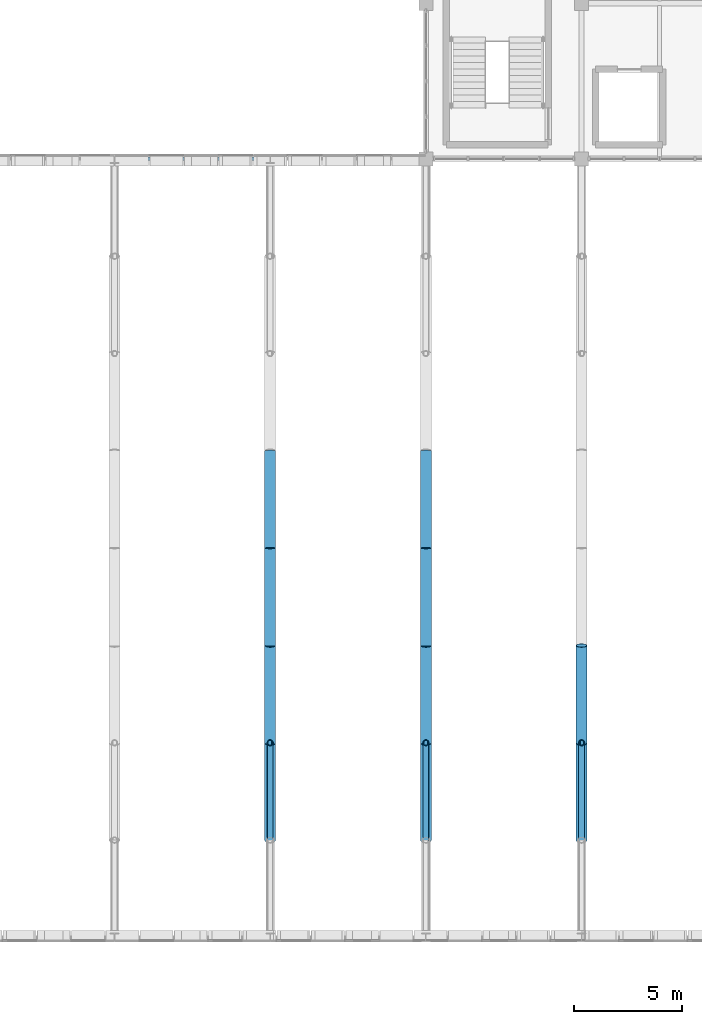
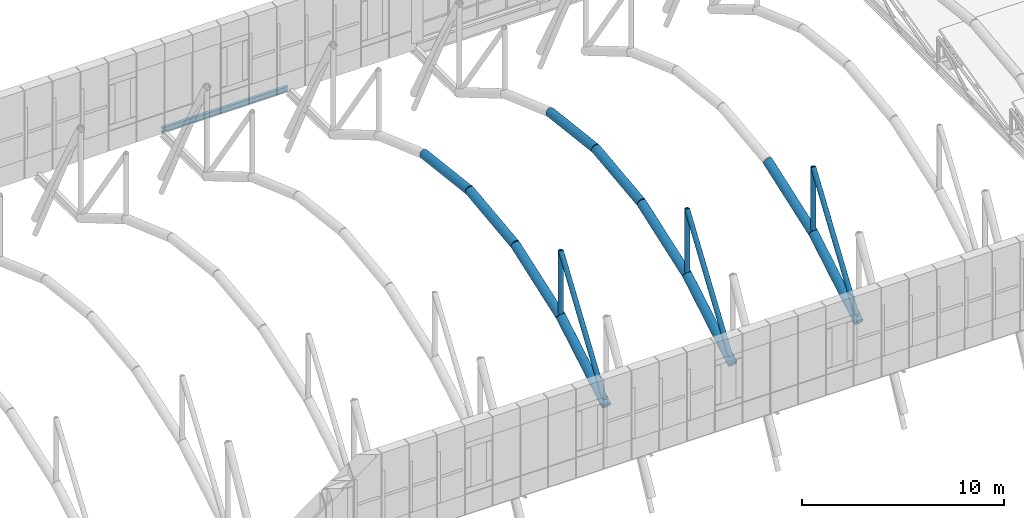
# One storey, part 37 of 144: 16 members, 1 beam.
"""IFC4 building model written with IfcOpenShell, lengths in metres."""

from ifc_helpers import new_model, si_unit, direction, frame, origin, origin_2d, place, context, subcontext, project, spatial, hollow_circle, i_section, extrude, material, material_profile, profile_set, type_object, element, save


model = new_model("IFC4")

# Units and contexts
model_context = context("Model", 3, precision=1e-05, world=origin(), true_north=direction((0.0, 1.0)))
body_context = subcontext(model_context, "Body", "Model", "MODEL_VIEW")
ifc_project = project(units=[si_unit("LENGTHUNIT", "METRE"), si_unit("AREAUNIT", "SQUARE_METRE"), si_unit("VOLUMEUNIT", "CUBIC_METRE"), si_unit("PLANEANGLEUNIT", "RADIAN"), si_unit("MASSUNIT", "GRAM", prefix="KILO")], contexts=[model_context])

# Site, building, storey
site_placement = place(None, origin())
site = spatial("IfcSite", under=ifc_project, at=site_placement, CompositionType="ELEMENT")
building_placement = place(site_placement, origin())
building = spatial("IfcBuilding", under=site, at=building_placement, Name="Yarey Park Central Fire Station", CompositionType="ELEMENT")
storey_placement = place(building_placement, frame((0.0, 0.0, 10.199951171875)))
storey = spatial("IfcBuildingStorey", under=building, at=storey_placement, Name="L03", CompositionType="ELEMENT", Elevation=10.199951171875)

# Members
ifc_material_1 = material(Name="Steel ASTM A500 Gr. C", Category="steel")
ifc_material_profile_1 = material_profile(ifc_material_1, hollow_circle(Radius=0.25390625, WallThickness=0.02001953125, at=origin_2d()), Name="CHS 508x20")
ifc_profile_set_1 = profile_set([ifc_material_profile_1], Name="Steel ASTM A500 Gr. C")
member_type_1 = type_object("IfcMemberType", Name="STR_CHORD_CHS508", PredefinedType="CHORD", material=ifc_profile_set_1)
member_1_placement = place(storey_placement, frame((108.0, 62.10009765625, -0.481201171875), z_axis=(0.0, 0.8611645473, 0.508326295281), x_axis=(-1.0, 0.0, 0.0)))
element("IfcMember", 1, at=member_1_placement, inside=storey, type_object=member_type_1, Name="Arched Roof Truss ART_08 Bottom Chord 2", PredefinedType="CHORD", context=body_context, shape_type="SweptSolid", body=[
    extrude(hollow_circle(Radius=0.25390625, WallThickness=0.02001953125, at=origin_2d()), origin(), (0.0, 0.0, 1.0), 5.2255859375),
])
member_2_placement = place(storey_placement, frame((108.0, 66.60009765625, 2.175048828125), z_axis=(0.0, 0.942627225161, 0.333847142245), x_axis=(-1.0, 0.0, 0.0)))
element("IfcMember", 2, at=member_2_placement, inside=storey, type_object=member_type_1, Name="Arched Roof Truss ART_08 Bottom Chord 3", PredefinedType="CHORD", context=body_context, shape_type="SweptSolid", body=[
    extrude(hollow_circle(Radius=0.25390625, WallThickness=0.02001953125, at=origin_2d()), origin(), (0.0, 0.0, 1.0), 4.77392578125),
])
for number, where, z_axis, x_axis, name in (
    (3, (108.0, 71.10009765625, 3.768798828125), (0.0, 0.993103448276, 0.11724137931), (-1.0, 0.0, 0.0), "Arched Roof Truss ART_08 Bottom Chord 4"),
    (4, (108.0, 75.60009765625, 4.300048828125), (0.0, 0.993103448276, -0.11724137931), (-1.0, 0.0, 0.0), "Arched Roof Truss ART_08 Bottom Chord 5"),
):
    element("IfcMember", number, at=place(storey_placement, frame(where, z_axis=z_axis, x_axis=x_axis)), inside=storey, type_object=member_type_1, Name=name, PredefinedType="CHORD", context=body_context, shape_type="SweptSolid", body=[
        extrude(hollow_circle(Radius=0.25390625, WallThickness=0.02001953125, at=origin_2d()), origin(), (0.0, 0.0, 1.0), 4.53125),
    ])
member_3_placement = place(storey_placement, frame((115.199951171875, 62.10009765625, -0.481201171875), z_axis=(0.0, 0.8611645473, 0.508326295281), x_axis=(-1.0, 0.0, 0.0)))
element("IfcMember", 5, at=member_3_placement, inside=storey, type_object=member_type_1, Name="Arched Roof Truss ART_09 Bottom Chord 2", PredefinedType="CHORD", context=body_context, shape_type="SweptSolid", body=[
    extrude(hollow_circle(Radius=0.25390625, WallThickness=0.02001953125, at=origin_2d()), origin(), (0.0, 0.0, 1.0), 5.2255859375),
])
member_4_placement = place(storey_placement, frame((115.199951171875, 66.60009765625, 2.175048828125), z_axis=(0.0, 0.942627225161, 0.333847142245), x_axis=(-1.0, 0.0, 0.0)))
element("IfcMember", 6, at=member_4_placement, inside=storey, type_object=member_type_1, Name="Arched Roof Truss ART_09 Bottom Chord 3", PredefinedType="CHORD", context=body_context, shape_type="SweptSolid", body=[
    extrude(hollow_circle(Radius=0.25390625, WallThickness=0.02001953125, at=origin_2d()), origin(), (0.0, 0.0, 1.0), 4.77392578125),
])
for number, where, z_axis, x_axis, name in (
    (7, (115.199951171875, 71.10009765625, 3.768798828125), (0.0, 0.993103448276, 0.11724137931), (-1.0, 0.0, 0.0), "Arched Roof Truss ART_09 Bottom Chord 4"),
    (8, (115.199951171875, 75.60009765625, 4.300048828125), (0.0, 0.993103448276, -0.11724137931), (-1.0, 0.0, 0.0), "Arched Roof Truss ART_09 Bottom Chord 5"),
):
    element("IfcMember", number, at=place(storey_placement, frame(where, z_axis=z_axis, x_axis=x_axis)), inside=storey, type_object=member_type_1, Name=name, PredefinedType="CHORD", context=body_context, shape_type="SweptSolid", body=[
        extrude(hollow_circle(Radius=0.25390625, WallThickness=0.02001953125, at=origin_2d()), origin(), (0.0, 0.0, 1.0), 4.53125),
    ])
member_5_placement = place(storey_placement, frame((122.39990234375, 62.10009765625, -0.481201171875), z_axis=(0.0, 0.8611645473, 0.508326295281), x_axis=(-1.0, 0.0, 0.0)))
element("IfcMember", 9, at=member_5_placement, inside=storey, type_object=member_type_1, Name="Arched Roof Truss ART_10 Bottom Chord 2", PredefinedType="CHORD", context=body_context, shape_type="SweptSolid", body=[
    extrude(hollow_circle(Radius=0.25390625, WallThickness=0.02001953125, at=origin_2d()), origin(), (0.0, 0.0, 1.0), 5.2255859375),
])
member_6_placement = place(storey_placement, frame((122.39990234375, 66.60009765625, 2.175048828125), z_axis=(0.0, 0.942627225161, 0.333847142245), x_axis=(-1.0, 0.0, 0.0)))
element("IfcMember", 10, at=member_6_placement, inside=storey, type_object=member_type_1, Name="Arched Roof Truss ART_10 Bottom Chord 3", PredefinedType="CHORD", context=body_context, shape_type="SweptSolid", body=[
    extrude(hollow_circle(Radius=0.25390625, WallThickness=0.02001953125, at=origin_2d()), origin(), (0.0, 0.0, 1.0), 4.77392578125),
])

# Beam
ifc_material_2 = material(Name="Steel ASTM A992 Gr. 50", Category="steel")
ifc_material_profile_2 = material_profile(ifc_material_2, i_section(OverallWidth=0.1650390625, OverallDepth=0.31005859375, WebThickness=0.005859375, FlangeThickness=0.009765625, at=origin_2d()), Name="W310x39")
ifc_profile_set_2 = profile_set([ifc_material_profile_2], Name="Steel ASTM A992 Gr. 50")
beam_type = type_object("IfcBeamType", Name="STR_SPN_W310", PredefinedType="SPANDREL", material=ifc_profile_set_2)
beam_placement = place(storey_placement, frame((100.800048828125, 93.60009765625, -0.43505859375), z_axis=(1.0, 0.0, 0.0), x_axis=(0.0, 1.0, 0.0)))
element("IfcBeam", 11, at=beam_placement, inside=storey, type_object=beam_type, Name="V2 BOX GIRT N B1 07", PredefinedType="SPANDREL", context=body_context, shape_type="SweptSolid", body=[
    extrude(i_section(OverallWidth=0.1650390625, OverallDepth=0.31005859375, WebThickness=0.005859375, FlangeThickness=0.009765625, at=origin_2d()), origin(), (0.0, 0.0, 1.0), 7.199951171875),
])

# Members
ifc_material_profile_3 = material_profile(ifc_material_1, hollow_circle(Radius=0.136474609375, WallThickness=0.012451171875, at=origin_2d()), Name="CHS 273x12.5")
ifc_profile_set_3 = profile_set([ifc_material_profile_3], Name="Steel ASTM A500 Gr. C")
member_type_2 = type_object("IfcMemberType", Name="STR_WEB_CHS273", PredefinedType="BRACE", material=ifc_profile_set_3)
member_7_placement = place(storey_placement, frame((108.0, 62.10009765625, -0.481201171875), z_axis=(0.0, 0.562095632178, 0.82707224611), x_axis=(-1.0, 0.0, 0.0)))
element("IfcMember", 12, at=member_7_placement, inside=storey, type_object=member_type_2, Name="Arched Roof Truss ART_08 Diagonal 2", PredefinedType="BRACE", context=body_context, shape_type="SweptSolid", body=[
    extrude(hollow_circle(Radius=0.136474609375, WallThickness=0.012451171875, at=origin_2d()), origin(), (0.0, 0.0, 1.0), 8.005859375),
])
member_8_placement = place(storey_placement, frame((108.0, 66.60009765625, 2.175048828125), z_axis=(0.0, 0.0, 1.0), x_axis=(1.0, 0.0, 0.0)))
element("IfcMember", 13, at=member_8_placement, inside=storey, type_object=member_type_2, Name="Arched Roof Truss ART_08 Vertical 3", PredefinedType="BRACE", context=body_context, shape_type="SweptSolid", body=[
    extrude(hollow_circle(Radius=0.136474609375, WallThickness=0.012451171875, at=origin_2d()), origin(), (0.0, 0.0, 1.0), 3.965087890625),
])
member_9_placement = place(storey_placement, frame((115.199951171875, 62.10009765625, -0.481201171875), z_axis=(0.0, 0.562095632178, 0.82707224611), x_axis=(-1.0, 0.0, 0.0)))
element("IfcMember", 14, at=member_9_placement, inside=storey, type_object=member_type_2, Name="Arched Roof Truss ART_09 Diagonal 2", PredefinedType="BRACE", context=body_context, shape_type="SweptSolid", body=[
    extrude(hollow_circle(Radius=0.136474609375, WallThickness=0.012451171875, at=origin_2d()), origin(), (0.0, 0.0, 1.0), 8.005859375),
])
member_10_placement = place(storey_placement, frame((115.199951171875, 66.60009765625, 2.175048828125), z_axis=(0.0, 0.0, 1.0), x_axis=(1.0, 0.0, 0.0)))
element("IfcMember", 15, at=member_10_placement, inside=storey, type_object=member_type_2, Name="Arched Roof Truss ART_09 Vertical 3", PredefinedType="BRACE", context=body_context, shape_type="SweptSolid", body=[
    extrude(hollow_circle(Radius=0.136474609375, WallThickness=0.012451171875, at=origin_2d()), origin(), (0.0, 0.0, 1.0), 3.965087890625),
])
member_11_placement = place(storey_placement, frame((122.39990234375, 62.10009765625, -0.481201171875), z_axis=(0.0, 0.562095632178, 0.82707224611), x_axis=(-1.0, 0.0, 0.0)))
element("IfcMember", 16, at=member_11_placement, inside=storey, type_object=member_type_2, Name="Arched Roof Truss ART_10 Diagonal 2", PredefinedType="BRACE", context=body_context, shape_type="SweptSolid", body=[
    extrude(hollow_circle(Radius=0.136474609375, WallThickness=0.012451171875, at=origin_2d()), origin(), (0.0, 0.0, 1.0), 8.005859375),
])
member_12_placement = place(storey_placement, frame((122.39990234375, 66.60009765625, 2.175048828125), z_axis=(0.0, 0.0, 1.0), x_axis=(1.0, 0.0, 0.0)))
element("IfcMember", 17, at=member_12_placement, inside=storey, type_object=member_type_2, Name="Arched Roof Truss ART_10 Vertical 3", PredefinedType="BRACE", context=body_context, shape_type="SweptSolid", body=[
    extrude(hollow_circle(Radius=0.136474609375, WallThickness=0.012451171875, at=origin_2d()), origin(), (0.0, 0.0, 1.0), 3.965087890625),
])

save(model, "model.ifc")
